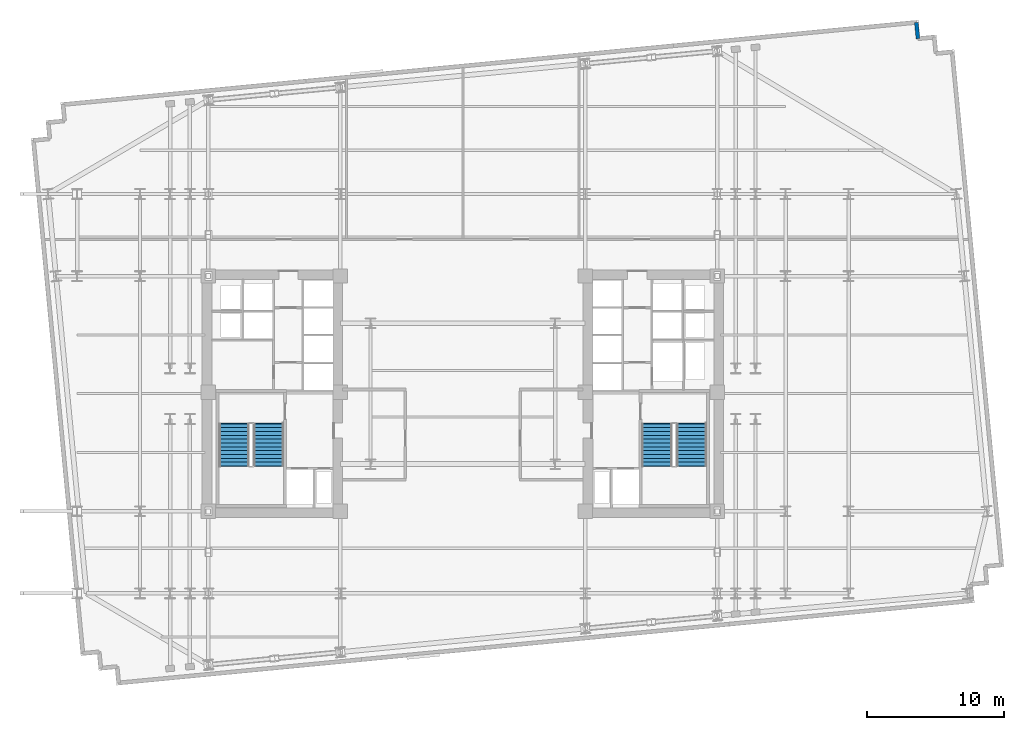
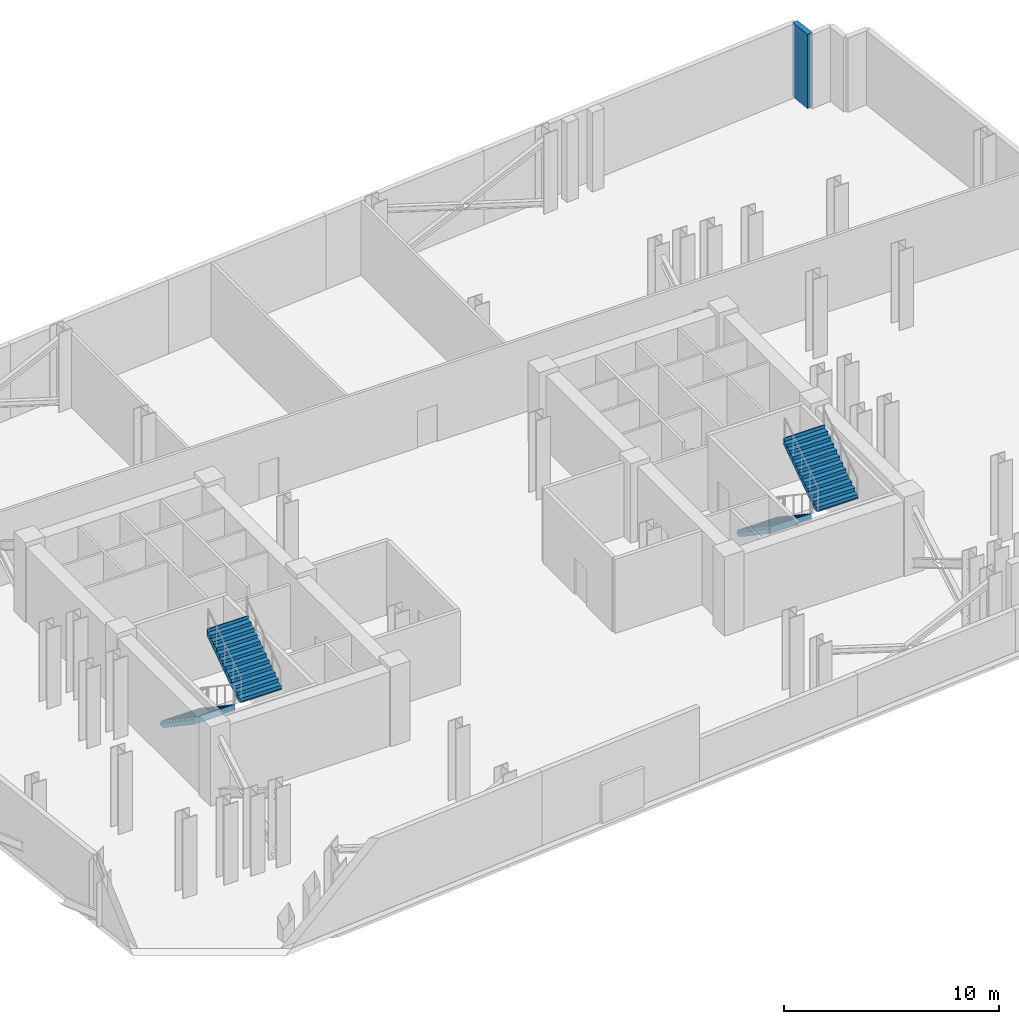
# One storey, part 7 of 9: 4 stair flights, 1 wall, 2 elements without a shape of their own.
"""IFC4 building model written with IfcOpenShell, lengths in metres."""

from ifc_helpers import new_model, si_unit, direction, frame, frame_2d, origin, place, context, subcontext, project, spatial, polyline, rectangle, outline, extrude, material, layer, layer_set, type_object, element, aggregate, save


model = new_model("IFC4")

# Units and contexts
model_context = context("Model", 3, precision=1e-05, world=origin(), true_north=direction((0.0, 1.0)))
body_context = subcontext(model_context, "Body", "Model", "MODEL_VIEW")
ifc_project = project(units=[si_unit("LENGTHUNIT", "METRE"), si_unit("AREAUNIT", "SQUARE_METRE"), si_unit("VOLUMEUNIT", "CUBIC_METRE"), si_unit("PLANEANGLEUNIT", "RADIAN"), si_unit("MASSUNIT", "GRAM", prefix="KILO")], contexts=[model_context])

# Site, building, storey
site_placement = place(None, origin())
site = spatial("IfcSite", under=ifc_project, at=site_placement, CompositionType="ELEMENT")
building_placement = place(site_placement, origin())
building = spatial("IfcBuilding", under=site, at=building_placement, Name="Velakula Bourse", CompositionType="ELEMENT")
storey_placement = place(building_placement, frame((0.0, 0.0, 112.14990234375)))
storey = spatial("IfcBuildingStorey", under=building, at=storey_placement, Name="L30", CompositionType="ELEMENT", Elevation=112.14990234375)

# Wall
ifc_material_1 = material(Name="Red kilned clay facing brick masonry", Category="masonry")
ifc_layer_1 = layer(ifc_material_1, 0.280029296875, Name="Red kilned clay facing brick masonry", Category="masonry")
ifc_layer_set_1 = layer_set([ifc_layer_1], Name="Red kilned clay facing brick masonry")
wall_type = type_object("IfcWallType", Name="WL-EXT-BRK-280", PredefinedType="STANDARD", material=ifc_layer_set_1)
wall_placement = place(storey_placement, frame((33.27490234375, 25.95166015625, 0.0), z_axis=(0.0, 0.0, 1.0), x_axis=(-0.095836473879, 0.995397091755, 0.0)))
element("IfcWall", 1, at=wall_placement, inside=storey, type_object=wall_type, Name="L30 Serrated Corner Brick Wall NE-4", PredefinedType="STANDARD", context=body_context, shape_type="SweptSolid", body=[
    extrude(rectangle(XDim=1.199951171875, YDim=0.280029296875, at=frame_2d((0.60009765625, 0.0))), origin(), (0.0, 0.0, 1.0), 4.2001953125),
])

# Stair, stair flights
ifc_material_2 = material(Name="Concrete M45 (fck 45 MPa)", Category="concrete")
stair_type = type_object("IfcStairType", Name="STR-DOG-435", PredefinedType="HALF_TURN_STAIR", material=ifc_material_2)
stair_1_placement = place(storey_placement, origin())
stair_1 = element("IfcStair", 2, at=stair_1_placement, inside=storey, type_object=stair_type, Name="L30 West Core Exit Stair ST-W1", PredefinedType="HALF_TURN_STAIR")
ifc_layer_2 = layer(ifc_material_2, 0.199951171875, Name="Concrete M45 (fck 45 MPa)", Category="concrete")
ifc_layer_set_2 = layer_set([ifc_layer_2], Name="Concrete M45 (fck 45 MPa)")
stair_flight_type = type_object("IfcStairFlightType", Name="FLT-DOG-435", PredefinedType="STRAIGHT", material=ifc_layer_set_2)
stair_flight_1_placement = place(storey_placement, frame((-16.720947265625, -2.199951171875, 0.0), z_axis=(0.0, 0.0, 1.0), x_axis=(0.0, -1.0, 0.0)))
stair_flight_1 = element("IfcStairFlight", 3, at=stair_flight_1_placement, type_object=stair_flight_type, Name="ST-W1 flight 1", NumberOfRisers=12, NumberOfTreads=11, PredefinedType="STRAIGHT", RiserHeight=0.1875, TreadLength=0.28, context=body_context, shape_type="SweptSolid", body=[
    extrude(outline(polyline([(-0.044921875, -0.0400390625), (-0.044921875, -0.036865234375), (-0.044921875, -0.033935546875), (-0.044921875, -0.03076171875), (-0.044921875, -0.027587890625), (-0.044921875, -0.024658203125), (-0.044921875, -0.021484375), (-0.044921875, -0.0185546875), (-0.044921875, -0.015380859375), (-0.044921875, -0.01220703125), (-0.044921875, -0.00927734375), (-0.044921875, -0.006103515625), (-0.044921875, -0.003173828125), (-0.044921875, 0.0), (0.0, 0.0), (0.0, 0.1875), (0.280029296875, 0.1875), (0.280029296875, 0.375), (0.56005859375, 0.375), (0.56005859375, 0.5625), (0.840087890625, 0.5625), (0.840087890625, 0.75), (1.1201171875, 0.75), (1.1201171875, 0.9375), (1.39990234375, 0.9375), (1.39990234375, 1.125), (1.679931640625, 1.125), (1.679931640625, 1.3125), (1.9599609375, 1.3125), (1.9599609375, 1.5), (2.239990234375, 1.5), (2.239990234375, 1.6875), (2.52001953125, 1.6875), (2.52001953125, 1.875), (2.800048828125, 1.875), (2.800048828125, 2.0625), (3.080078125, 2.0625), (3.080078125, 2.25), (3.125, 2.25), (3.125, 2.2236328125), (3.125, 2.197509765625), (3.125, 2.171142578125), (3.125, 2.144775390625), (3.125, 2.11865234375), (3.125, 2.09228515625), (3.125, 2.066162109375), (3.125, 2.039794921875), (3.125, 2.013427734375), (3.125, 1.9873046875), (3.125, 1.9609375), (3.125, 1.9345703125), (3.125, 1.908447265625), (3.125, 1.882080078125), (0.26953125, -0.0400390625), (-0.044921875, -0.0400390625)])), frame((0.0, 1.09912109375, 0.0), z_axis=(0.0, -1.0, 0.0), x_axis=(1.0, 0.0, 0.0)), (0.0, 0.0, 1.0), 2.197998046875),
])
stair_flight_2_placement = place(storey_placement, frame((-14.198974609375, -5.280029296875, 2.25), z_axis=(0.0, 0.0, 1.0), x_axis=(0.0, 1.0, 0.0)))
stair_flight_2 = element("IfcStairFlight", 4, at=stair_flight_2_placement, type_object=stair_flight_type, Name="ST-W1 flight 2", NumberOfRisers=12, NumberOfTreads=11, PredefinedType="STRAIGHT", RiserHeight=0.1875, TreadLength=0.28, context=body_context, shape_type="SweptSolid", body=[
    extrude(outline(polyline([(-0.044921875, -0.0400390625), (-0.044921875, -0.036865234375), (-0.044921875, -0.033935546875), (-0.044921875, -0.03076171875), (-0.044921875, -0.027587890625), (-0.044921875, -0.024658203125), (-0.044921875, -0.021484375), (-0.044921875, -0.0185546875), (-0.044921875, -0.015380859375), (-0.044921875, -0.01220703125), (-0.044921875, -0.00927734375), (-0.044921875, -0.006103515625), (-0.044921875, -0.003173828125), (-0.044921875, 0.0), (0.0, 0.0), (0.0, 0.1875), (0.280029296875, 0.1875), (0.280029296875, 0.375), (0.56005859375, 0.375), (0.56005859375, 0.5625), (0.840087890625, 0.5625), (0.840087890625, 0.75), (1.1201171875, 0.75), (1.1201171875, 0.9375), (1.39990234375, 0.9375), (1.39990234375, 1.125), (1.679931640625, 1.125), (1.679931640625, 1.3125), (1.9599609375, 1.3125), (1.9599609375, 1.5), (2.239990234375, 1.5), (2.239990234375, 1.6875), (2.52001953125, 1.6875), (2.52001953125, 1.875), (2.800048828125, 1.875), (2.800048828125, 2.0625), (3.080078125, 2.0625), (3.080078125, 2.25), (3.125, 2.25), (3.125, 2.2236328125), (3.125, 2.197509765625), (3.125, 2.171142578125), (3.125, 2.144775390625), (3.125, 2.11865234375), (3.125, 2.09228515625), (3.125, 2.066162109375), (3.125, 2.039794921875), (3.125, 2.013427734375), (3.125, 1.9873046875), (3.125, 1.9609375), (3.125, 1.9345703125), (3.125, 1.908447265625), (3.125, 1.882080078125), (0.26953125, -0.0400390625), (-0.044921875, -0.0400390625)])), frame((0.0, 1.09912109375, 0.0), z_axis=(0.0, -1.0, 0.0), x_axis=(1.0, 0.0, 0.0)), (0.0, 0.0, 1.0), 2.197998046875),
])
aggregate(stair_1, [stair_flight_1, stair_flight_2])

stair_2_placement = place(storey_placement, origin())
stair_2 = element("IfcStair", 5, at=stair_2_placement, inside=storey, type_object=stair_type, Name="L30 East Core Exit Stair ST-E1", PredefinedType="HALF_TURN_STAIR")
stair_flight_3_placement = place(storey_placement, frame((14.198974609375, -2.199951171875, 0.0), z_axis=(0.0, 0.0, 1.0), x_axis=(0.0, -1.0, 0.0)))
stair_flight_3 = element("IfcStairFlight", 6, at=stair_flight_3_placement, type_object=stair_flight_type, Name="ST-E1 flight 1", NumberOfRisers=12, NumberOfTreads=11, PredefinedType="STRAIGHT", RiserHeight=0.1875, TreadLength=0.28, context=body_context, shape_type="SweptSolid", body=[
    extrude(outline(polyline([(-0.044921875, -0.0400390625), (-0.044921875, -0.036865234375), (-0.044921875, -0.033935546875), (-0.044921875, -0.03076171875), (-0.044921875, -0.027587890625), (-0.044921875, -0.024658203125), (-0.044921875, -0.021484375), (-0.044921875, -0.0185546875), (-0.044921875, -0.015380859375), (-0.044921875, -0.01220703125), (-0.044921875, -0.00927734375), (-0.044921875, -0.006103515625), (-0.044921875, -0.003173828125), (-0.044921875, 0.0), (0.0, 0.0), (0.0, 0.1875), (0.280029296875, 0.1875), (0.280029296875, 0.375), (0.56005859375, 0.375), (0.56005859375, 0.5625), (0.840087890625, 0.5625), (0.840087890625, 0.75), (1.1201171875, 0.75), (1.1201171875, 0.9375), (1.39990234375, 0.9375), (1.39990234375, 1.125), (1.679931640625, 1.125), (1.679931640625, 1.3125), (1.9599609375, 1.3125), (1.9599609375, 1.5), (2.239990234375, 1.5), (2.239990234375, 1.6875), (2.52001953125, 1.6875), (2.52001953125, 1.875), (2.800048828125, 1.875), (2.800048828125, 2.0625), (3.080078125, 2.0625), (3.080078125, 2.25), (3.125, 2.25), (3.125, 2.2236328125), (3.125, 2.197509765625), (3.125, 2.171142578125), (3.125, 2.144775390625), (3.125, 2.11865234375), (3.125, 2.09228515625), (3.125, 2.066162109375), (3.125, 2.039794921875), (3.125, 2.013427734375), (3.125, 1.9873046875), (3.125, 1.9609375), (3.125, 1.9345703125), (3.125, 1.908447265625), (3.125, 1.882080078125), (0.26953125, -0.0400390625), (-0.044921875, -0.0400390625)])), frame((0.0, 1.09912109375, 0.0), z_axis=(0.0, -1.0, 0.0), x_axis=(1.0, 0.0, 0.0)), (0.0, 0.0, 1.0), 2.197998046875),
])
stair_flight_4_placement = place(storey_placement, frame((16.720947265625, -5.280029296875, 2.25), z_axis=(0.0, 0.0, 1.0), x_axis=(0.0, 1.0, 0.0)))
stair_flight_4 = element("IfcStairFlight", 7, at=stair_flight_4_placement, type_object=stair_flight_type, Name="ST-E1 flight 2", NumberOfRisers=12, NumberOfTreads=11, PredefinedType="STRAIGHT", RiserHeight=0.1875, TreadLength=0.28, context=body_context, shape_type="SweptSolid", body=[
    extrude(outline(polyline([(-0.044921875, -0.0400390625), (-0.044921875, -0.036865234375), (-0.044921875, -0.033935546875), (-0.044921875, -0.03076171875), (-0.044921875, -0.027587890625), (-0.044921875, -0.024658203125), (-0.044921875, -0.021484375), (-0.044921875, -0.0185546875), (-0.044921875, -0.015380859375), (-0.044921875, -0.01220703125), (-0.044921875, -0.00927734375), (-0.044921875, -0.006103515625), (-0.044921875, -0.003173828125), (-0.044921875, 0.0), (0.0, 0.0), (0.0, 0.1875), (0.280029296875, 0.1875), (0.280029296875, 0.375), (0.56005859375, 0.375), (0.56005859375, 0.5625), (0.840087890625, 0.5625), (0.840087890625, 0.75), (1.1201171875, 0.75), (1.1201171875, 0.9375), (1.39990234375, 0.9375), (1.39990234375, 1.125), (1.679931640625, 1.125), (1.679931640625, 1.3125), (1.9599609375, 1.3125), (1.9599609375, 1.5), (2.239990234375, 1.5), (2.239990234375, 1.6875), (2.52001953125, 1.6875), (2.52001953125, 1.875), (2.800048828125, 1.875), (2.800048828125, 2.0625), (3.080078125, 2.0625), (3.080078125, 2.25), (3.125, 2.25), (3.125, 2.2236328125), (3.125, 2.197509765625), (3.125, 2.171142578125), (3.125, 2.144775390625), (3.125, 2.11865234375), (3.125, 2.09228515625), (3.125, 2.066162109375), (3.125, 2.039794921875), (3.125, 2.013427734375), (3.125, 1.9873046875), (3.125, 1.9609375), (3.125, 1.9345703125), (3.125, 1.908447265625), (3.125, 1.882080078125), (0.26953125, -0.0400390625), (-0.044921875, -0.0400390625)])), frame((0.0, 1.09912109375, 0.0), z_axis=(0.0, -1.0, 0.0), x_axis=(1.0, 0.0, 0.0)), (0.0, 0.0, 1.0), 2.197998046875),
])
aggregate(stair_2, [stair_flight_3, stair_flight_4])

save(model, "model.ifc")
